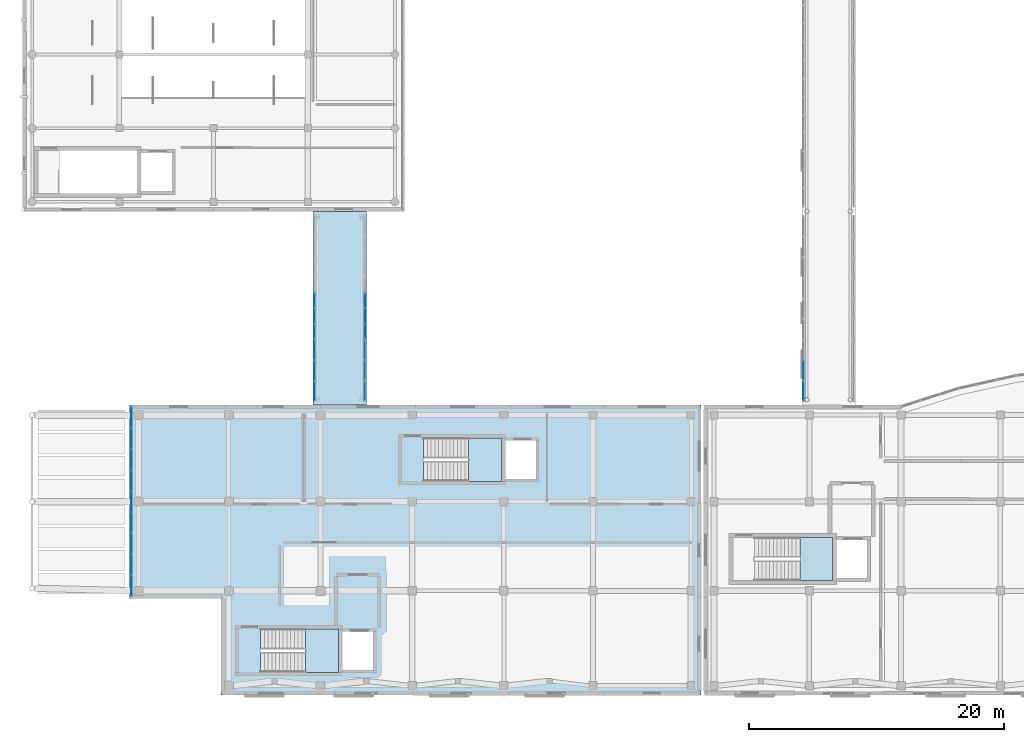
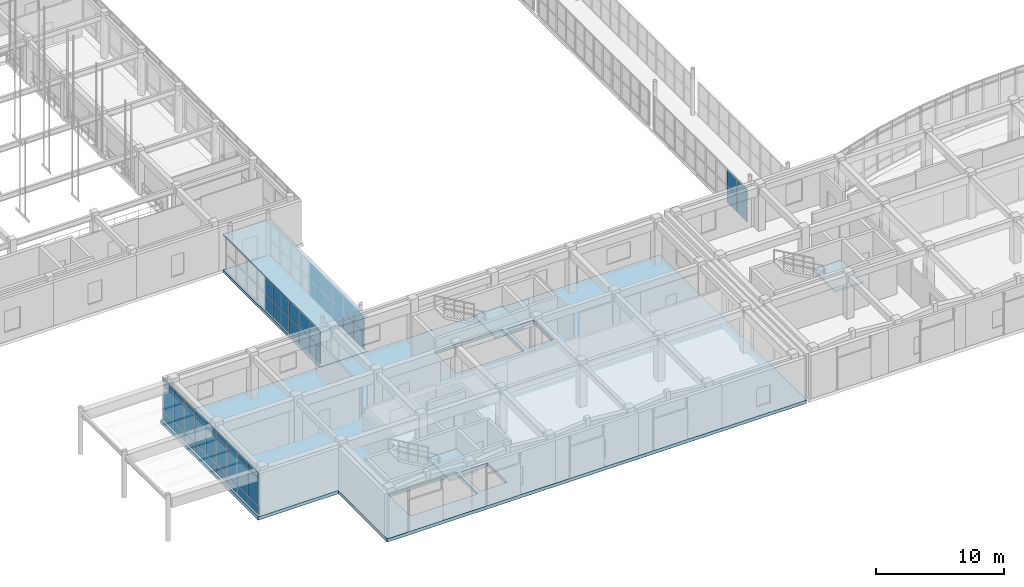
# One storey, part 104 of 142: 55 plates, 6 slabs, 11 elements without a shape of their own.
"""IFC4 building model written with IfcOpenShell, lengths in metres."""

import ifcopenshell
import ifcopenshell.guid

model = None  # the IFC model being written
_history = None  # IfcOwnerHistory: only IFC2X3 demands one
_inside = {}  # id of a spatial element -> (the spatial element, [elements in it])
_under = {}  # id of a project, library or spatial element -> (it, [spatial elements below it])
_declared = {}  # id of a project -> (the project, [libraries it declares])
_typed = {}  # id of a type object -> (the type object, [elements of that type])
_made_of = {}  # id of a material, layer set ... -> (it, [elements and type objects made of it])


def new_model(schema):
    """Start an empty IFC model of exactly this schema.

    Asked for "IFC4X3", IfcOpenShell would pick the latest addendum, in which some entities
    have other attributes; the version numbers below select the first issue.
    IFC2X3 requires an IfcOwnerHistory on every rooted entity: one is made here for all.
    """
    global model, _history
    if schema == "IFC4X3":
        model = ifcopenshell.file(schema_version=(4, 3, 0, 0))
    else:
        model = ifcopenshell.file(schema=schema)
    _inside.clear()
    _under.clear()
    _declared.clear()
    _typed.clear()
    _made_of.clear()
    _history = None
    if model.schema == "IFC2X3":
        org = make("IfcOrganization", Name="unknown")
        user = make(
            "IfcPersonAndOrganization",
            ThePerson=make("IfcPerson", FamilyName="unknown"),
            TheOrganization=org,
        )
        app = make(
            "IfcApplication",
            ApplicationDeveloper=org,
            Version="unknown",
            ApplicationFullName="unknown",
            ApplicationIdentifier="unknown",
        )
        _history = make(
            "IfcOwnerHistory",
            OwningUser=user,
            OwningApplication=app,
            ChangeAction="ADDED",
            CreationDate=0,
        )
    return model


def make(cls, **values):
    """One entity of the class cls with the attributes given. An attribute that is None is left unset."""
    return model.create_entity(
        cls, **{name: value for name, value in values.items() if value is not None}
    )


def rooted(cls, **values):
    """An entity with a GlobalId (a new one), such as an element, a storey or a relation."""
    return make(cls, GlobalId=ifcopenshell.guid.new(), OwnerHistory=_history, **values)


def si_unit(unit_type, name, prefix=None):
    """IfcSIUnit, for example si_unit("LENGTHUNIT", "METRE", prefix="MILLI")."""
    return make("IfcSIUnit", UnitType=unit_type, Prefix=prefix, Name=name)


def assignment(units):
    """IfcUnitAssignment: the units of a project."""
    return None if units is None else make("IfcUnitAssignment", Units=units)


def point(xyz):
    """IfcCartesianPoint."""
    return None if xyz is None else make("IfcCartesianPoint", Coordinates=xyz)


def direction(xyz):
    """IfcDirection."""
    return None if xyz is None else make("IfcDirection", DirectionRatios=xyz)


def frame(location, z_axis=None, x_axis=None):
    """IfcAxis2Placement3D, a coordinate frame: its origin and axes. An axis left out is left unset."""
    return make(
        "IfcAxis2Placement3D",
        Location=point(location),
        Axis=direction(z_axis),
        RefDirection=direction(x_axis),
    )


def frame_2d(location, x_axis=None):
    """IfcAxis2Placement2D, a coordinate frame in the plane: its origin and x axis."""
    return make(
        "IfcAxis2Placement2D", Location=point(location), RefDirection=direction(x_axis)
    )


def origin():
    """The frame at (0, 0, 0) with its axes left unset."""
    return frame((0.0, 0.0, 0.0))


def origin_2d():
    """The frame at (0, 0) in the plane with its x axis left unset."""
    return frame_2d((0.0, 0.0))


def place(relative_to, where):
    """IfcLocalPlacement: puts the frame where relative to a parent placement (None: the world)."""
    return make(
        "IfcLocalPlacement", PlacementRelTo=relative_to, RelativePlacement=where
    )


def context(
    kind, dimensions, precision=None, world=None, true_north=None, identifier=None
):
    """IfcGeometricRepresentationContext, for example the 3D "Model" context."""
    return make(
        "IfcGeometricRepresentationContext",
        ContextIdentifier=identifier,
        ContextType=kind,
        CoordinateSpaceDimension=dimensions,
        Precision=precision,
        WorldCoordinateSystem=world,
        TrueNorth=true_north,
    )


def subcontext(parent, identifier, kind, view, scale=None):
    """IfcGeometricRepresentationSubContext, for example "Body" below "Model"."""
    return make(
        "IfcGeometricRepresentationSubContext",
        ContextIdentifier=identifier,
        ContextType=kind,
        ParentContext=parent,
        TargetScale=scale,
        TargetView=view,
    )


def project(units=None, contexts=None):
    """IfcProject with its units and contexts."""
    return rooted(
        "IfcProject",
        Name="project",
        RepresentationContexts=contexts,
        UnitsInContext=assignment(units),
    )


def spatial(cls, under=None, at=None, **own):
    """A site, building, storey or space (cls), placed at a placement, below another one or the project."""
    s = rooted(cls, ObjectPlacement=at, **own)
    if under is not None:
        _under.setdefault(under.id(), (under, []))[1].append(s)
    return s


def polyline(points):
    """IfcPolyline through the points."""
    return make("IfcPolyline", Points=[point(p) for p in points])


def profile(cls, at=None, kind="AREA", **sizes):
    """A parametric profile (cls). Its sizes go by their IFC names, for example OverallWidth=200.0."""
    return make(cls, ProfileType=kind, Position=at, **sizes)


def rectangle(**sizes):
    """IfcRectangleProfileDef."""
    return profile("IfcRectangleProfileDef", **sizes)


def outline(outer, holes=None, kind="AREA"):
    """IfcArbitraryClosedProfileDef: a profile drawn as a closed curve; with holes, ...WithVoids."""
    if holes is None:
        return make("IfcArbitraryClosedProfileDef", ProfileType=kind, OuterCurve=outer)
    return make(
        "IfcArbitraryProfileDefWithVoids",
        ProfileType=kind,
        OuterCurve=outer,
        InnerCurves=holes,
    )


def extrude(swept, where, along, depth):
    """IfcExtrudedAreaSolid: the profile swept, set in the frame where, extruded along a direction by depth."""
    return make(
        "IfcExtrudedAreaSolid",
        SweptArea=swept,
        Position=where,
        ExtrudedDirection=direction(along),
        Depth=depth,
    )


def shape(context_of_items, identifier, shape_type, items):
    """IfcShapeRepresentation: the items that make up one representation, for example the "Body"."""
    return make(
        "IfcShapeRepresentation",
        ContextOfItems=context_of_items,
        RepresentationIdentifier=identifier,
        RepresentationType=shape_type,
        Items=items,
    )


def material(Name=None, Category=None):
    """IfcMaterial."""
    return make("IfcMaterial", Name=Name, Category=Category)


def layer(
    of_material, thickness, ventilated=None, Name=None, Category=None, Priority=None
):
    """IfcMaterialLayer: one layer of a wall or slab, of a material (None: an air gap)."""
    return make(
        "IfcMaterialLayer",
        Material=of_material,
        LayerThickness=thickness,
        IsVentilated=ventilated,
        Name=Name,
        Category=Category,
        Priority=Priority,
    )


def layer_set(layers, Name=None):
    """IfcMaterialLayerSet."""
    return make("IfcMaterialLayerSet", MaterialLayers=layers, LayerSetName=Name)


def made_of(thing, what):
    """Note that an element or type object is made of a material, layer set ...; save() writes the relation."""
    if what is not None:
        _made_of.setdefault(what.id(), (what, []))[1].append(thing)
    return thing


def type_object(cls, material=None, **own):
    """A type object (cls), such as IfcWallType, which elements share."""
    return made_of(rooted(cls, **own), material)


def element(
    cls,
    number,
    at=None,
    inside=None,
    cuts=None,
    type_object=None,
    material=None,
    context=None,
    identifier="Body",
    shape_type=None,
    held_by="IfcProductDefinitionShape",
    body=None,
    shapes=None,
    **own,
):
    """One element of the class cls, such as IfcWall. Its Tag is "e" and its number.

    at: its placement. inside: the storey or other place that contains it. cuts: it is an
    opening in that element (IfcRelVoidsElement). A single representation is given by context,
    identifier, shape_type and body (its items); several are given by shapes. held_by: the class
    of the entity that holds the representations. save() writes the other relations.
    """
    e = rooted(cls, Tag="e%d" % number, ObjectPlacement=at, **own)
    if body is not None:
        shapes = [shape(context, identifier, shape_type, body)]
    if shapes is not None:
        e.Representation = make(held_by, Representations=shapes)
    if inside is not None:
        _inside.setdefault(inside.id(), (inside, []))[1].append(e)
    if cuts is not None:
        rooted(
            "IfcRelVoidsElement", RelatingBuildingElement=cuts, RelatedOpeningElement=e
        )
    if type_object is not None:
        _typed.setdefault(type_object.id(), (type_object, []))[1].append(e)
    return made_of(e, material)


def aggregate(whole, parts):
    """IfcRelAggregates: a whole, such as a stair, and the parts it consists of."""
    return rooted("IfcRelAggregates", RelatingObject=whole, RelatedObjects=parts)


def save(model, path):
    """Write the relations noted so far, then the file.

    IfcRelAggregates (storeys below a building ...), IfcRelContainedInSpatialStructure (elements
    in a storey), IfcRelDefinesByType, IfcRelAssociatesMaterial and IfcRelDeclares: one each for
    every whole, place, type object, material and project.
    """
    for whole, parts in _under.values():
        aggregate(whole, parts)
    for where, things in _inside.values():
        rooted(
            "IfcRelContainedInSpatialStructure",
            RelatedElements=things,
            RelatingStructure=where,
        )
    for kind, things in _typed.values():
        rooted("IfcRelDefinesByType", RelatedObjects=things, RelatingType=kind)
    for what, things in _made_of.values():
        rooted("IfcRelAssociatesMaterial", RelatedObjects=things, RelatingMaterial=what)
    for by, libraries in _declared.values():
        rooted("IfcRelDeclares", RelatingContext=by, RelatedDefinitions=libraries)
    model.write(path)


model = new_model("IFC4")

# Units and contexts
model_context = context("Model", 3, precision=1e-05, world=origin(), true_north=direction((0.0, 1.0)))
body_context = subcontext(model_context, "Body", "Model", "MODEL_VIEW")
ifc_project = project(units=[si_unit("LENGTHUNIT", "METRE"), si_unit("AREAUNIT", "SQUARE_METRE"), si_unit("VOLUMEUNIT", "CUBIC_METRE"), si_unit("PLANEANGLEUNIT", "RADIAN"), si_unit("MASSUNIT", "GRAM", prefix="KILO")], contexts=[model_context])

# Site, building, storey
site_placement = place(None, origin())
site = spatial("IfcSite", under=ifc_project, at=site_placement, CompositionType="ELEMENT")
building_placement = place(site_placement, origin())
building = spatial("IfcBuilding", under=site, at=building_placement, Name="Valcora Specialist Clinic", CompositionType="ELEMENT")
storey_placement = place(building_placement, frame((0.0, 0.0, 5.10009765625)))
storey = spatial("IfcBuildingStorey", under=building, at=storey_placement, Name="L01", CompositionType="ELEMENT", Elevation=5.10009765625)

# Curtain wall, plates
ifc_material_1 = material(Name="Anodized Bronze Aluminium 6063-T6", Category="aluminium")
ifc_layer_1 = layer(ifc_material_1, 0.175048828125)
ifc_layer_set_1 = layer_set([ifc_layer_1], Name="Anodized Bronze Aluminium 6063-T6")
curtain_wall_type_1 = type_object("IfcCurtainWallType", Name="TY-CW-V5F15", PredefinedType="NOTDEFINED", material=ifc_layer_set_1)
curtain_wall_1_placement = place(storey_placement, origin())
curtain_wall_1 = element("IfcCurtainWall", 1, at=curtain_wall_1_placement, inside=storey, type_object=curtain_wall_type_1, Name="Curtain wall CW-L01-138", PredefinedType="NOTDEFINED")
ifc_material_2 = material(Name="Low-E Laminated Insulating Glass", Category="glass")
ifc_layer_2 = layer(ifc_material_2, 0.028076171875)
ifc_layer_set_2 = layer_set([ifc_layer_2], Name="Low-E Laminated Insulating Glass")
plate_type_1 = type_object("IfcPlateType", Name="TY-CWP-GLZ28", PredefinedType="CURTAIN_PANEL", material=ifc_layer_set_2)
plate_1_placement = place(storey_placement, frame((8.550048828125, 13.560791015625, 0.88232421875), z_axis=(0.0, 0.0, 1.0), x_axis=(0.0, 1.0, 0.0)))
plate_1 = element("IfcPlate", 2, at=plate_1_placement, type_object=plate_type_1, Name="CW-V5F-15 panel 1.2", PredefinedType="CURTAIN_PANEL", context=body_context, shape_type="SweptSolid", body=[
    extrude(rectangle(XDim=1.55810546875, YDim=0.028076171875, at=origin_2d()), origin(), (0.0, 0.0, 1.0), 2.610107421875),
])
plate_2_placement = place(storey_placement, frame((8.550048828125, 13.560791015625, 3.5576171875), z_axis=(0.0, 0.0, 1.0), x_axis=(0.0, 1.0, 0.0)))
plate_2 = element("IfcPlate", 3, at=plate_2_placement, type_object=plate_type_1, Name="CW-V5F-15 panel 1.3", PredefinedType="CURTAIN_PANEL", context=body_context, shape_type="SweptSolid", body=[
    extrude(rectangle(XDim=1.55810546875, YDim=0.028076171875, at=origin_2d()), origin(), (0.0, 0.0, 1.0), 0.452392578125),
])
plate_3_placement = place(storey_placement, frame((8.550048828125, 15.199951171875, 0.88232421875), z_axis=(0.0, 0.0, 1.0), x_axis=(0.0, 1.0, 0.0)))
plate_3 = element("IfcPlate", 4, at=plate_3_placement, type_object=plate_type_1, Name="CW-V5F-15 panel 2.2", PredefinedType="CURTAIN_PANEL", context=body_context, shape_type="SweptSolid", body=[
    extrude(rectangle(XDim=1.590576171875, YDim=0.028076171875, at=origin_2d()), origin(), (0.0, 0.0, 1.0), 2.610107421875),
])
plate_4_placement = place(storey_placement, frame((8.550048828125, 15.199951171875, 3.5576171875), z_axis=(0.0, 0.0, 1.0), x_axis=(0.0, 1.0, 0.0)))
plate_4 = element("IfcPlate", 5, at=plate_4_placement, type_object=plate_type_1, Name="CW-V5F-15 panel 2.3", PredefinedType="CURTAIN_PANEL", context=body_context, shape_type="SweptSolid", body=[
    extrude(rectangle(XDim=1.590576171875, YDim=0.028076171875, at=origin_2d()), origin(), (0.0, 0.0, 1.0), 0.452392578125),
])
plate_5_placement = place(storey_placement, frame((8.550048828125, 16.83935546875, 0.88232421875), z_axis=(0.0, 0.0, 1.0), x_axis=(0.0, 1.0, 0.0)))
plate_5 = element("IfcPlate", 6, at=plate_5_placement, type_object=plate_type_1, Name="CW-V5F-15 panel 3.2", PredefinedType="CURTAIN_PANEL", context=body_context, shape_type="SweptSolid", body=[
    extrude(rectangle(XDim=1.55810546875, YDim=0.028076171875, at=origin_2d()), origin(), (0.0, 0.0, 1.0), 2.610107421875),
])
plate_6_placement = place(storey_placement, frame((8.550048828125, 16.83935546875, 3.5576171875), z_axis=(0.0, 0.0, 1.0), x_axis=(0.0, 1.0, 0.0)))
plate_6 = element("IfcPlate", 7, at=plate_6_placement, type_object=plate_type_1, Name="CW-V5F-15 panel 3.3", PredefinedType="CURTAIN_PANEL", context=body_context, shape_type="SweptSolid", body=[
    extrude(rectangle(XDim=1.55810546875, YDim=0.028076171875, at=origin_2d()), origin(), (0.0, 0.0, 1.0), 0.452392578125),
])

ifc_layer_3 = layer(ifc_material_1, 0.175048828125)
ifc_layer_set_3 = layer_set([ifc_layer_3], Name="Anodized Bronze Aluminium 6063-T6")
curtain_wall_type_2 = type_object("IfcCurtainWallType", Name="TY-CW-BRG14", PredefinedType="NOTDEFINED", material=ifc_layer_set_3)
curtain_wall_2_placement = place(storey_placement, origin())
curtain_wall_2 = element("IfcCurtainWall", 8, at=curtain_wall_2_placement, inside=storey, type_object=curtain_wall_type_2, Name="Curtain wall CW-L01-226", PredefinedType="NOTDEFINED")
plate_7_placement = place(storey_placement, frame((22.919921875, 28.578857421875, 0.06494140625), z_axis=(0.0, 0.0, 1.0), x_axis=(0.0, 1.0, 0.0)))
plate_7 = element("IfcPlate", 9, at=plate_7_placement, type_object=plate_type_1, Name="CW-BRG-14 panel 1.1", PredefinedType="CURTAIN_PANEL", context=body_context, shape_type="SweptSolid", body=[
    extrude(rectangle(XDim=1.12744140625, YDim=0.028076171875, at=origin_2d()), origin(), (0.0, 0.0, 1.0), 1.5224609375),
])
plate_8_placement = place(storey_placement, frame((22.919921875, 28.578857421875, 1.65234375), z_axis=(0.0, 0.0, 1.0), x_axis=(0.0, 1.0, 0.0)))
plate_8 = element("IfcPlate", 10, at=plate_8_placement, type_object=plate_type_1, Name="CW-BRG-14 panel 1.2", PredefinedType="CURTAIN_PANEL", context=body_context, shape_type="SweptSolid", body=[
    extrude(rectangle(XDim=1.12744140625, YDim=0.028076171875, at=origin_2d()), origin(), (0.0, 0.0, 1.0), 1.5224609375),
])
plate_9_placement = place(storey_placement, frame((22.919921875, 29.78759765625, 0.06494140625), z_axis=(0.0, 0.0, 1.0), x_axis=(0.0, 1.0, 0.0)))
plate_9 = element("IfcPlate", 11, at=plate_9_placement, type_object=plate_type_1, Name="CW-BRG-14 panel 2.1", PredefinedType="CURTAIN_PANEL", context=body_context, shape_type="SweptSolid", body=[
    extrude(rectangle(XDim=1.159912109375, YDim=0.028076171875, at=origin_2d()), origin(), (0.0, 0.0, 1.0), 1.5224609375),
])
plate_10_placement = place(storey_placement, frame((22.919921875, 29.78759765625, 1.65234375), z_axis=(0.0, 0.0, 1.0), x_axis=(0.0, 1.0, 0.0)))
plate_10 = element("IfcPlate", 12, at=plate_10_placement, type_object=plate_type_1, Name="CW-BRG-14 panel 2.2", PredefinedType="CURTAIN_PANEL", context=body_context, shape_type="SweptSolid", body=[
    extrude(rectangle(XDim=1.159912109375, YDim=0.028076171875, at=origin_2d()), origin(), (0.0, 0.0, 1.0), 1.5224609375),
])
plate_11_placement = place(storey_placement, frame((22.919921875, 31.012451171875, 0.06494140625), z_axis=(0.0, 0.0, 1.0), x_axis=(0.0, 1.0, 0.0)))
plate_11 = element("IfcPlate", 13, at=plate_11_placement, type_object=plate_type_1, Name="CW-BRG-14 panel 3.1", PredefinedType="CURTAIN_PANEL", context=body_context, shape_type="SweptSolid", body=[
    extrude(rectangle(XDim=1.159912109375, YDim=0.028076171875, at=origin_2d()), origin(), (0.0, 0.0, 1.0), 1.5224609375),
])
plate_12_placement = place(storey_placement, frame((22.919921875, 31.012451171875, 1.65234375), z_axis=(0.0, 0.0, 1.0), x_axis=(0.0, 1.0, 0.0)))
plate_12 = element("IfcPlate", 14, at=plate_12_placement, type_object=plate_type_1, Name="CW-BRG-14 panel 3.2", PredefinedType="CURTAIN_PANEL", context=body_context, shape_type="SweptSolid", body=[
    extrude(rectangle(XDim=1.159912109375, YDim=0.028076171875, at=origin_2d()), origin(), (0.0, 0.0, 1.0), 1.5224609375),
])
aggregate(curtain_wall_2, [plate_7, plate_8, plate_9, plate_10, plate_11, plate_12])

curtain_wall_3_placement = place(storey_placement, origin())
curtain_wall_3 = element("IfcCurtainWall", 15, at=curtain_wall_3_placement, inside=storey, type_object=curtain_wall_type_2, Name="Curtain wall CW-L01-228", PredefinedType="NOTDEFINED")
plate_13_placement = place(storey_placement, frame((26.8798828125, 23.8828125, 0.06494140625), z_axis=(0.0, 0.0, 1.0), x_axis=(0.0, 1.0, 0.0)))
plate_13 = element("IfcPlate", 16, at=plate_13_placement, type_object=plate_type_1, Name="CW-BRG-14 panel 1.1", PredefinedType="CURTAIN_PANEL", context=body_context, shape_type="SweptSolid", body=[
    extrude(rectangle(XDim=1.535888671875, YDim=0.028076171875, at=origin_2d()), origin(), (0.0, 0.0, 1.0), 1.5224609375),
])
plate_14_placement = place(storey_placement, frame((26.8798828125, 23.8828125, 1.65234375), z_axis=(0.0, 0.0, 1.0), x_axis=(0.0, 1.0, 0.0)))
plate_14 = element("IfcPlate", 17, at=plate_14_placement, type_object=plate_type_1, Name="CW-BRG-14 panel 1.2", PredefinedType="CURTAIN_PANEL", context=body_context, shape_type="SweptSolid", body=[
    extrude(rectangle(XDim=1.535888671875, YDim=0.028076171875, at=origin_2d()), origin(), (0.0, 0.0, 1.0), 1.5224609375),
])
plate_15_placement = place(storey_placement, frame((26.8798828125, 25.5, 0.06494140625), z_axis=(0.0, 0.0, 1.0), x_axis=(0.0, 1.0, 0.0)))
plate_15 = element("IfcPlate", 18, at=plate_15_placement, type_object=plate_type_1, Name="CW-BRG-14 panel 2.1", PredefinedType="CURTAIN_PANEL", context=body_context, shape_type="SweptSolid", body=[
    extrude(rectangle(XDim=1.568359375, YDim=0.028076171875, at=origin_2d()), origin(), (0.0, 0.0, 1.0), 1.5224609375),
])
plate_16_placement = place(storey_placement, frame((26.8798828125, 25.5, 1.65234375), z_axis=(0.0, 0.0, 1.0), x_axis=(0.0, 1.0, 0.0)))
plate_16 = element("IfcPlate", 19, at=plate_16_placement, type_object=plate_type_1, Name="CW-BRG-14 panel 2.2", PredefinedType="CURTAIN_PANEL", context=body_context, shape_type="SweptSolid", body=[
    extrude(rectangle(XDim=1.568359375, YDim=0.028076171875, at=origin_2d()), origin(), (0.0, 0.0, 1.0), 1.5224609375),
])
plate_17_placement = place(storey_placement, frame((26.8798828125, 27.1171875, 0.06494140625), z_axis=(0.0, 0.0, 1.0), x_axis=(0.0, 1.0, 0.0)))
plate_17 = element("IfcPlate", 20, at=plate_17_placement, type_object=plate_type_1, Name="CW-BRG-14 panel 3.1", PredefinedType="CURTAIN_PANEL", context=body_context, shape_type="SweptSolid", body=[
    extrude(rectangle(XDim=1.535888671875, YDim=0.028076171875, at=origin_2d()), origin(), (0.0, 0.0, 1.0), 1.5224609375),
])
plate_18_placement = place(storey_placement, frame((26.8798828125, 27.1171875, 1.65234375), z_axis=(0.0, 0.0, 1.0), x_axis=(0.0, 1.0, 0.0)))
plate_18 = element("IfcPlate", 21, at=plate_18_placement, type_object=plate_type_1, Name="CW-BRG-14 panel 3.2", PredefinedType="CURTAIN_PANEL", context=body_context, shape_type="SweptSolid", body=[
    extrude(rectangle(XDim=1.535888671875, YDim=0.028076171875, at=origin_2d()), origin(), (0.0, 0.0, 1.0), 1.5224609375),
])
aggregate(curtain_wall_3, [plate_13, plate_14, plate_15, plate_16, plate_17, plate_18])

curtain_wall_4_placement = place(storey_placement, origin())
curtain_wall_4 = element("IfcCurtainWall", 22, at=curtain_wall_4_placement, inside=storey, type_object=curtain_wall_type_1, Name="Curtain wall CW-L01-137", PredefinedType="NOTDEFINED")
ifc_layer_4 = layer(ifc_material_2, 0.033935546875)
ifc_layer_set_4 = layer_set([ifc_layer_4], Name="Low-E Laminated Insulating Glass")
plate_type_2 = type_object("IfcPlateType", Name="TY-CWP-GLZ34", PredefinedType="CURTAIN_PANEL", material=ifc_layer_set_4)
plate_19_placement = place(storey_placement, frame((8.550048828125, 8.593994140625, 0.88232421875), z_axis=(0.0, 0.0, 1.0), x_axis=(0.0, 1.0, 0.0)))
plate_19 = element("IfcPlate", 23, at=plate_19_placement, type_object=plate_type_2, Name="CW-V5F-15 panel 1.2", PredefinedType="CURTAIN_PANEL", context=body_context, shape_type="SweptSolid", body=[
    extrude(rectangle(XDim=1.55810546875, YDim=0.033935546875, at=origin_2d()), origin(), (0.0, 0.0, 1.0), 2.610107421875),
])
plate_20_placement = place(storey_placement, frame((8.550048828125, 8.593994140625, 3.5576171875), z_axis=(0.0, 0.0, 1.0), x_axis=(0.0, 1.0, 0.0)))
plate_20 = element("IfcPlate", 24, at=plate_20_placement, type_object=plate_type_2, Name="CW-V5F-15 panel 1.3", PredefinedType="CURTAIN_PANEL", context=body_context, shape_type="SweptSolid", body=[
    extrude(rectangle(XDim=1.55810546875, YDim=0.033935546875, at=origin_2d()), origin(), (0.0, 0.0, 1.0), 0.452392578125),
])
plate_21_placement = place(storey_placement, frame((8.550048828125, 10.2333984375, 0.88232421875), z_axis=(0.0, 0.0, 1.0), x_axis=(0.0, 1.0, 0.0)))
plate_21 = element("IfcPlate", 25, at=plate_21_placement, type_object=plate_type_2, Name="CW-V5F-15 panel 2.2", PredefinedType="CURTAIN_PANEL", context=body_context, shape_type="SweptSolid", body=[
    extrude(rectangle(XDim=1.590576171875, YDim=0.033935546875, at=origin_2d()), origin(), (0.0, 0.0, 1.0), 2.610107421875),
])
plate_22_placement = place(storey_placement, frame((8.550048828125, 10.2333984375, 3.5576171875), z_axis=(0.0, 0.0, 1.0), x_axis=(0.0, 1.0, 0.0)))
plate_22 = element("IfcPlate", 26, at=plate_22_placement, type_object=plate_type_2, Name="CW-V5F-15 panel 2.3", PredefinedType="CURTAIN_PANEL", context=body_context, shape_type="SweptSolid", body=[
    extrude(rectangle(XDim=1.590576171875, YDim=0.033935546875, at=origin_2d()), origin(), (0.0, 0.0, 1.0), 0.452392578125),
])
plate_23_placement = place(storey_placement, frame((8.550048828125, 11.87255859375, 0.88232421875), z_axis=(0.0, 0.0, 1.0), x_axis=(0.0, 1.0, 0.0)))
plate_23 = element("IfcPlate", 27, at=plate_23_placement, type_object=plate_type_2, Name="CW-V5F-15 panel 3.2", PredefinedType="CURTAIN_PANEL", context=body_context, shape_type="SweptSolid", body=[
    extrude(rectangle(XDim=1.55810546875, YDim=0.033935546875, at=origin_2d()), origin(), (0.0, 0.0, 1.0), 2.610107421875),
])
plate_24_placement = place(storey_placement, frame((8.550048828125, 11.87255859375, 3.5576171875), z_axis=(0.0, 0.0, 1.0), x_axis=(0.0, 1.0, 0.0)))
plate_24 = element("IfcPlate", 28, at=plate_24_placement, type_object=plate_type_2, Name="CW-V5F-15 panel 3.3", PredefinedType="CURTAIN_PANEL", context=body_context, shape_type="SweptSolid", body=[
    extrude(rectangle(XDim=1.55810546875, YDim=0.033935546875, at=origin_2d()), origin(), (0.0, 0.0, 1.0), 0.452392578125),
])

curtain_wall_5_placement = place(storey_placement, origin())
curtain_wall_5 = element("IfcCurtainWall", 29, at=curtain_wall_5_placement, inside=storey, type_object=curtain_wall_type_1, Name="Curtain wall CW-L01-139", PredefinedType="NOTDEFINED")
plate_25_placement = place(storey_placement, frame((8.550048828125, 18.52734375, 0.88232421875), z_axis=(0.0, 0.0, 1.0), x_axis=(0.0, 1.0, 0.0)))
plate_25 = element("IfcPlate", 30, at=plate_25_placement, type_object=plate_type_2, Name="CW-V5F-15 panel 1.2", PredefinedType="CURTAIN_PANEL", context=body_context, shape_type="SweptSolid", body=[
    extrude(rectangle(XDim=1.55810546875, YDim=0.033935546875, at=origin_2d()), origin(), (0.0, 0.0, 1.0), 2.610107421875),
])
plate_26_placement = place(storey_placement, frame((8.550048828125, 18.52734375, 3.5576171875), z_axis=(0.0, 0.0, 1.0), x_axis=(0.0, 1.0, 0.0)))
plate_26 = element("IfcPlate", 31, at=plate_26_placement, type_object=plate_type_2, Name="CW-V5F-15 panel 1.3", PredefinedType="CURTAIN_PANEL", context=body_context, shape_type="SweptSolid", body=[
    extrude(rectangle(XDim=1.55810546875, YDim=0.033935546875, at=origin_2d()), origin(), (0.0, 0.0, 1.0), 0.452392578125),
])
plate_27_placement = place(storey_placement, frame((8.550048828125, 20.166748046875, 0.88232421875), z_axis=(0.0, 0.0, 1.0), x_axis=(0.0, 1.0, 0.0)))
plate_27 = element("IfcPlate", 32, at=plate_27_placement, type_object=plate_type_2, Name="CW-V5F-15 panel 2.2", PredefinedType="CURTAIN_PANEL", context=body_context, shape_type="SweptSolid", body=[
    extrude(rectangle(XDim=1.590576171875, YDim=0.033935546875, at=origin_2d()), origin(), (0.0, 0.0, 1.0), 2.610107421875),
])
plate_28_placement = place(storey_placement, frame((8.550048828125, 20.166748046875, 3.5576171875), z_axis=(0.0, 0.0, 1.0), x_axis=(0.0, 1.0, 0.0)))
plate_28 = element("IfcPlate", 33, at=plate_28_placement, type_object=plate_type_2, Name="CW-V5F-15 panel 2.3", PredefinedType="CURTAIN_PANEL", context=body_context, shape_type="SweptSolid", body=[
    extrude(rectangle(XDim=1.590576171875, YDim=0.033935546875, at=origin_2d()), origin(), (0.0, 0.0, 1.0), 0.452392578125),
])
plate_29_placement = place(storey_placement, frame((8.550048828125, 21.805908203125, 0.88232421875), z_axis=(0.0, 0.0, 1.0), x_axis=(0.0, 1.0, 0.0)))
plate_29 = element("IfcPlate", 34, at=plate_29_placement, type_object=plate_type_2, Name="CW-V5F-15 panel 3.2", PredefinedType="CURTAIN_PANEL", context=body_context, shape_type="SweptSolid", body=[
    extrude(rectangle(XDim=1.55810546875, YDim=0.033935546875, at=origin_2d()), origin(), (0.0, 0.0, 1.0), 2.610107421875),
])
plate_30_placement = place(storey_placement, frame((8.550048828125, 21.805908203125, 3.5576171875), z_axis=(0.0, 0.0, 1.0), x_axis=(0.0, 1.0, 0.0)))
plate_30 = element("IfcPlate", 35, at=plate_30_placement, type_object=plate_type_2, Name="CW-V5F-15 panel 3.3", PredefinedType="CURTAIN_PANEL", context=body_context, shape_type="SweptSolid", body=[
    extrude(rectangle(XDim=1.55810546875, YDim=0.033935546875, at=origin_2d()), origin(), (0.0, 0.0, 1.0), 0.452392578125),
])

curtain_wall_6_placement = place(storey_placement, origin())
curtain_wall_6 = element("IfcCurtainWall", 36, at=curtain_wall_6_placement, inside=storey, type_object=curtain_wall_type_2, Name="Curtain wall CW-L01-225", PredefinedType="NOTDEFINED")
plate_31_placement = place(storey_placement, frame((22.919921875, 23.8828125, 0.06494140625), z_axis=(0.0, 0.0, 1.0), x_axis=(0.0, 1.0, 0.0)))
plate_31 = element("IfcPlate", 37, at=plate_31_placement, type_object=plate_type_2, Name="CW-BRG-14 panel 1.1", PredefinedType="CURTAIN_PANEL", context=body_context, shape_type="SweptSolid", body=[
    extrude(rectangle(XDim=1.535888671875, YDim=0.033935546875, at=origin_2d()), origin(), (0.0, 0.0, 1.0), 1.5224609375),
])
plate_32_placement = place(storey_placement, frame((22.919921875, 23.8828125, 1.65234375), z_axis=(0.0, 0.0, 1.0), x_axis=(0.0, 1.0, 0.0)))
plate_32 = element("IfcPlate", 38, at=plate_32_placement, type_object=plate_type_2, Name="CW-BRG-14 panel 1.2", PredefinedType="CURTAIN_PANEL", context=body_context, shape_type="SweptSolid", body=[
    extrude(rectangle(XDim=1.535888671875, YDim=0.033935546875, at=origin_2d()), origin(), (0.0, 0.0, 1.0), 1.5224609375),
])
plate_33_placement = place(storey_placement, frame((22.919921875, 25.5, 0.06494140625), z_axis=(0.0, 0.0, 1.0), x_axis=(0.0, 1.0, 0.0)))
plate_33 = element("IfcPlate", 39, at=plate_33_placement, type_object=plate_type_2, Name="CW-BRG-14 panel 2.1", PredefinedType="CURTAIN_PANEL", context=body_context, shape_type="SweptSolid", body=[
    extrude(rectangle(XDim=1.568359375, YDim=0.033935546875, at=origin_2d()), origin(), (0.0, 0.0, 1.0), 1.5224609375),
])
plate_34_placement = place(storey_placement, frame((22.919921875, 25.5, 1.65234375), z_axis=(0.0, 0.0, 1.0), x_axis=(0.0, 1.0, 0.0)))
plate_34 = element("IfcPlate", 40, at=plate_34_placement, type_object=plate_type_2, Name="CW-BRG-14 panel 2.2", PredefinedType="CURTAIN_PANEL", context=body_context, shape_type="SweptSolid", body=[
    extrude(rectangle(XDim=1.568359375, YDim=0.033935546875, at=origin_2d()), origin(), (0.0, 0.0, 1.0), 1.5224609375),
])
plate_35_placement = place(storey_placement, frame((22.919921875, 27.1171875, 0.06494140625), z_axis=(0.0, 0.0, 1.0), x_axis=(0.0, 1.0, 0.0)))
plate_35 = element("IfcPlate", 41, at=plate_35_placement, type_object=plate_type_2, Name="CW-BRG-14 panel 3.1", PredefinedType="CURTAIN_PANEL", context=body_context, shape_type="SweptSolid", body=[
    extrude(rectangle(XDim=1.535888671875, YDim=0.033935546875, at=origin_2d()), origin(), (0.0, 0.0, 1.0), 1.5224609375),
])
plate_36_placement = place(storey_placement, frame((22.919921875, 27.1171875, 1.65234375), z_axis=(0.0, 0.0, 1.0), x_axis=(0.0, 1.0, 0.0)))
plate_36 = element("IfcPlate", 42, at=plate_36_placement, type_object=plate_type_2, Name="CW-BRG-14 panel 3.2", PredefinedType="CURTAIN_PANEL", context=body_context, shape_type="SweptSolid", body=[
    extrude(rectangle(XDim=1.535888671875, YDim=0.033935546875, at=origin_2d()), origin(), (0.0, 0.0, 1.0), 1.5224609375),
])
aggregate(curtain_wall_6, [plate_31, plate_32, plate_33, plate_34, plate_35, plate_36])

curtain_wall_7_placement = place(storey_placement, origin())
curtain_wall_7 = element("IfcCurtainWall", 43, at=curtain_wall_7_placement, inside=storey, type_object=curtain_wall_type_2, Name="Curtain wall CW-L01-229", PredefinedType="NOTDEFINED")
plate_37_placement = place(storey_placement, frame((26.8798828125, 28.578857421875, 0.06494140625), z_axis=(0.0, 0.0, 1.0), x_axis=(0.0, 1.0, 0.0)))
plate_37 = element("IfcPlate", 44, at=plate_37_placement, type_object=plate_type_2, Name="CW-BRG-14 panel 1.1", PredefinedType="CURTAIN_PANEL", context=body_context, shape_type="SweptSolid", body=[
    extrude(rectangle(XDim=1.12744140625, YDim=0.033935546875, at=origin_2d()), origin(), (0.0, 0.0, 1.0), 1.5224609375),
])
plate_38_placement = place(storey_placement, frame((26.8798828125, 28.578857421875, 1.65234375), z_axis=(0.0, 0.0, 1.0), x_axis=(0.0, 1.0, 0.0)))
plate_38 = element("IfcPlate", 45, at=plate_38_placement, type_object=plate_type_2, Name="CW-BRG-14 panel 1.2", PredefinedType="CURTAIN_PANEL", context=body_context, shape_type="SweptSolid", body=[
    extrude(rectangle(XDim=1.12744140625, YDim=0.033935546875, at=origin_2d()), origin(), (0.0, 0.0, 1.0), 1.5224609375),
])
plate_39_placement = place(storey_placement, frame((26.8798828125, 29.78759765625, 0.06494140625), z_axis=(0.0, 0.0, 1.0), x_axis=(0.0, 1.0, 0.0)))
plate_39 = element("IfcPlate", 46, at=plate_39_placement, type_object=plate_type_2, Name="CW-BRG-14 panel 2.1", PredefinedType="CURTAIN_PANEL", context=body_context, shape_type="SweptSolid", body=[
    extrude(rectangle(XDim=1.159912109375, YDim=0.033935546875, at=origin_2d()), origin(), (0.0, 0.0, 1.0), 1.5224609375),
])
plate_40_placement = place(storey_placement, frame((26.8798828125, 29.78759765625, 1.65234375), z_axis=(0.0, 0.0, 1.0), x_axis=(0.0, 1.0, 0.0)))
plate_40 = element("IfcPlate", 47, at=plate_40_placement, type_object=plate_type_2, Name="CW-BRG-14 panel 2.2", PredefinedType="CURTAIN_PANEL", context=body_context, shape_type="SweptSolid", body=[
    extrude(rectangle(XDim=1.159912109375, YDim=0.033935546875, at=origin_2d()), origin(), (0.0, 0.0, 1.0), 1.5224609375),
])
plate_41_placement = place(storey_placement, frame((26.8798828125, 31.012451171875, 0.06494140625), z_axis=(0.0, 0.0, 1.0), x_axis=(0.0, 1.0, 0.0)))
plate_41 = element("IfcPlate", 48, at=plate_41_placement, type_object=plate_type_2, Name="CW-BRG-14 panel 3.1", PredefinedType="CURTAIN_PANEL", context=body_context, shape_type="SweptSolid", body=[
    extrude(rectangle(XDim=1.159912109375, YDim=0.033935546875, at=origin_2d()), origin(), (0.0, 0.0, 1.0), 1.5224609375),
])
plate_42_placement = place(storey_placement, frame((26.8798828125, 31.012451171875, 1.65234375), z_axis=(0.0, 0.0, 1.0), x_axis=(0.0, 1.0, 0.0)))
plate_42 = element("IfcPlate", 49, at=plate_42_placement, type_object=plate_type_2, Name="CW-BRG-14 panel 3.2", PredefinedType="CURTAIN_PANEL", context=body_context, shape_type="SweptSolid", body=[
    extrude(rectangle(XDim=1.159912109375, YDim=0.033935546875, at=origin_2d()), origin(), (0.0, 0.0, 1.0), 1.5224609375),
])
aggregate(curtain_wall_7, [plate_37, plate_38, plate_39, plate_40, plate_41, plate_42])

curtain_wall_8_placement = place(storey_placement, origin())
curtain_wall_8 = element("IfcCurtainWall", 50, at=curtain_wall_8_placement, inside=storey, type_object=curtain_wall_type_2, Name="Curtain wall CW-L01-231", PredefinedType="NOTDEFINED")
plate_43_placement = place(storey_placement, frame((61.320068359375, 23.921875, 0.06494140625), z_axis=(0.0, 0.0, 1.0), x_axis=(0.0, 1.0, 0.0)))
plate_43 = element("IfcPlate", 51, at=plate_43_placement, type_object=plate_type_2, Name="CW-BRG-14 panel 1.1", PredefinedType="CURTAIN_PANEL", context=body_context, shape_type="SweptSolid", body=[
    extrude(rectangle(XDim=1.513671875, YDim=0.033935546875, at=origin_2d()), origin(), (0.0, 0.0, 1.0), 1.5224609375),
])
plate_44_placement = place(storey_placement, frame((61.320068359375, 23.921875, 1.65234375), z_axis=(0.0, 0.0, 1.0), x_axis=(0.0, 1.0, 0.0)))
plate_44 = element("IfcPlate", 52, at=plate_44_placement, type_object=plate_type_2, Name="CW-BRG-14 panel 1.2", PredefinedType="CURTAIN_PANEL", context=body_context, shape_type="SweptSolid", body=[
    extrude(rectangle(XDim=1.513671875, YDim=0.033935546875, at=origin_2d()), origin(), (0.0, 0.0, 1.0), 1.5224609375),
])
plate_45_placement = place(storey_placement, frame((61.320068359375, 25.5166015625, 0.06494140625), z_axis=(0.0, 0.0, 1.0), x_axis=(0.0, 1.0, 0.0)))
plate_45 = element("IfcPlate", 53, at=plate_45_placement, type_object=plate_type_2, Name="CW-BRG-14 panel 2.1", PredefinedType="CURTAIN_PANEL", context=body_context, shape_type="SweptSolid", body=[
    extrude(rectangle(XDim=1.546142578125, YDim=0.033935546875, at=origin_2d()), origin(), (0.0, 0.0, 1.0), 1.5224609375),
])
plate_46_placement = place(storey_placement, frame((61.320068359375, 25.5166015625, 1.65234375), z_axis=(0.0, 0.0, 1.0), x_axis=(0.0, 1.0, 0.0)))
plate_46 = element("IfcPlate", 54, at=plate_46_placement, type_object=plate_type_2, Name="CW-BRG-14 panel 2.2", PredefinedType="CURTAIN_PANEL", context=body_context, shape_type="SweptSolid", body=[
    extrude(rectangle(XDim=1.546142578125, YDim=0.033935546875, at=origin_2d()), origin(), (0.0, 0.0, 1.0), 1.5224609375),
])
aggregate(curtain_wall_8, [plate_43, plate_44, plate_45, plate_46])

# Plate
ifc_material_3 = material(Name="Insulated Spandrel Panel")
ifc_layer_5 = layer(ifc_material_3, 0.044921875)
ifc_layer_set_5 = layer_set([ifc_layer_5], Name="Insulated Spandrel Panel")
plate_type_3 = type_object("IfcPlateType", Name="TY-CWP-SPN45", PredefinedType="SHEET", material=ifc_layer_set_5)
plate_47_placement = place(storey_placement, frame((8.550048828125, 8.593994140625, 0.06494140625), z_axis=(0.0, 0.0, 1.0), x_axis=(0.0, 1.0, 0.0)))
plate_47 = element("IfcPlate", 55, at=plate_47_placement, type_object=plate_type_3, Name="CW-V5F-15 panel 1.1", PredefinedType="SHEET", context=body_context, shape_type="SweptSolid", body=[
    extrude(rectangle(XDim=1.55810546875, YDim=0.044921875, at=origin_2d()), origin(), (0.0, 0.0, 1.0), 0.75244140625),
])

plate_48_placement = place(storey_placement, frame((8.550048828125, 10.2333984375, 0.06494140625), z_axis=(0.0, 0.0, 1.0), x_axis=(0.0, 1.0, 0.0)))
plate_48 = element("IfcPlate", 56, at=plate_48_placement, type_object=plate_type_3, Name="CW-V5F-15 panel 2.1", PredefinedType="SHEET", context=body_context, shape_type="SweptSolid", body=[
    extrude(rectangle(XDim=1.590576171875, YDim=0.044921875, at=origin_2d()), origin(), (0.0, 0.0, 1.0), 0.75244140625),
])

plate_49_placement = place(storey_placement, frame((8.550048828125, 11.87255859375, 0.06494140625), z_axis=(0.0, 0.0, 1.0), x_axis=(0.0, 1.0, 0.0)))
plate_49 = element("IfcPlate", 57, at=plate_49_placement, type_object=plate_type_3, Name="CW-V5F-15 panel 3.1", PredefinedType="SHEET", context=body_context, shape_type="SweptSolid", body=[
    extrude(rectangle(XDim=1.55810546875, YDim=0.044921875, at=origin_2d()), origin(), (0.0, 0.0, 1.0), 0.75244140625),
])

aggregate(curtain_wall_4, [plate_47, plate_19, plate_20, plate_48, plate_21, plate_22, plate_49, plate_23, plate_24])

plate_50_placement = place(storey_placement, frame((8.550048828125, 13.560791015625, 0.06494140625), z_axis=(0.0, 0.0, 1.0), x_axis=(0.0, 1.0, 0.0)))
plate_50 = element("IfcPlate", 58, at=plate_50_placement, type_object=plate_type_3, Name="CW-V5F-15 panel 1.1", PredefinedType="SHEET", context=body_context, shape_type="SweptSolid", body=[
    extrude(rectangle(XDim=1.55810546875, YDim=0.044921875, at=origin_2d()), origin(), (0.0, 0.0, 1.0), 0.75244140625),
])

plate_51_placement = place(storey_placement, frame((8.550048828125, 15.199951171875, 0.06494140625), z_axis=(0.0, 0.0, 1.0), x_axis=(0.0, 1.0, 0.0)))
plate_51 = element("IfcPlate", 59, at=plate_51_placement, type_object=plate_type_3, Name="CW-V5F-15 panel 2.1", PredefinedType="SHEET", context=body_context, shape_type="SweptSolid", body=[
    extrude(rectangle(XDim=1.590576171875, YDim=0.044921875, at=origin_2d()), origin(), (0.0, 0.0, 1.0), 0.75244140625),
])

plate_52_placement = place(storey_placement, frame((8.550048828125, 16.83935546875, 0.06494140625), z_axis=(0.0, 0.0, 1.0), x_axis=(0.0, 1.0, 0.0)))
plate_52 = element("IfcPlate", 60, at=plate_52_placement, type_object=plate_type_3, Name="CW-V5F-15 panel 3.1", PredefinedType="SHEET", context=body_context, shape_type="SweptSolid", body=[
    extrude(rectangle(XDim=1.55810546875, YDim=0.044921875, at=origin_2d()), origin(), (0.0, 0.0, 1.0), 0.75244140625),
])

aggregate(curtain_wall_1, [plate_50, plate_1, plate_2, plate_51, plate_3, plate_4, plate_52, plate_5, plate_6])

plate_53_placement = place(storey_placement, frame((8.550048828125, 18.52734375, 0.06494140625), z_axis=(0.0, 0.0, 1.0), x_axis=(0.0, 1.0, 0.0)))
plate_53 = element("IfcPlate", 61, at=plate_53_placement, type_object=plate_type_3, Name="CW-V5F-15 panel 1.1", PredefinedType="SHEET", context=body_context, shape_type="SweptSolid", body=[
    extrude(rectangle(XDim=1.55810546875, YDim=0.044921875, at=origin_2d()), origin(), (0.0, 0.0, 1.0), 0.75244140625),
])

plate_54_placement = place(storey_placement, frame((8.550048828125, 20.166748046875, 0.06494140625), z_axis=(0.0, 0.0, 1.0), x_axis=(0.0, 1.0, 0.0)))
plate_54 = element("IfcPlate", 62, at=plate_54_placement, type_object=plate_type_3, Name="CW-V5F-15 panel 2.1", PredefinedType="SHEET", context=body_context, shape_type="SweptSolid", body=[
    extrude(rectangle(XDim=1.590576171875, YDim=0.044921875, at=origin_2d()), origin(), (0.0, 0.0, 1.0), 0.75244140625),
])

plate_55_placement = place(storey_placement, frame((8.550048828125, 21.805908203125, 0.06494140625), z_axis=(0.0, 0.0, 1.0), x_axis=(0.0, 1.0, 0.0)))
plate_55 = element("IfcPlate", 63, at=plate_55_placement, type_object=plate_type_3, Name="CW-V5F-15 panel 3.1", PredefinedType="SHEET", context=body_context, shape_type="SweptSolid", body=[
    extrude(rectangle(XDim=1.55810546875, YDim=0.044921875, at=origin_2d()), origin(), (0.0, 0.0, 1.0), 0.75244140625),
])

aggregate(curtain_wall_5, [plate_53, plate_25, plate_26, plate_54, plate_27, plate_28, plate_55, plate_29, plate_30])

# Slabs
ifc_material_4 = material(Name="Concrete C40/50", Category="concrete")
ifc_layer_6 = layer(ifc_material_4, 0.25)
ifc_layer_set_6 = layer_set([ifc_layer_6], Name="Concrete C40/50")
slab_type_1 = type_object("IfcSlabType", Name="TY-SL-BRG250", PredefinedType="FLOOR", material=ifc_layer_set_6)
slab_1_placement = place(storey_placement, frame((0.0, 0.0, -0.25)))
element("IfcSlab", 64, at=slab_1_placement, inside=storey, type_object=slab_type_1, Name="Link bridge deck BRG-W-L01 SL-L01-078", PredefinedType="FLOOR", context=body_context, shape_type="SweptSolid", body=[
    extrude(outline(polyline([(22.800048828125, 22.800048828125), (27.0, 22.800048828125), (27.0, 38.0), (22.800048828125, 38.0), (22.800048828125, 22.800048828125)])), origin(), (0.0, 0.0, 1.0), 0.25),
])
ifc_layer_7 = layer(ifc_material_4, 0.159912109375)
ifc_layer_set_7 = layer_set([ifc_layer_7], Name="Concrete C40/50")
slab_type_2 = type_object("IfcSlabType", Name="TY-SL-CNP160", PredefinedType="ROOF", material=ifc_layer_set_7)
slab_2_placement = place(storey_placement, frame((0.0, 0.0, 3.239990234375)))
element("IfcSlab", 65, at=slab_2_placement, inside=storey, type_object=slab_type_2, Name="Link bridge roof BRG-W-L01 SL-L01-079", PredefinedType="ROOF", context=body_context, shape_type="SweptSolid", body=[
    extrude(outline(polyline([(22.800048828125, 22.800048828125), (27.0, 22.800048828125), (27.0, 38.0), (22.800048828125, 38.0), (22.800048828125, 22.800048828125)])), origin(), (0.0, 0.0, 1.0), 0.159912109375),
])
ifc_layer_8 = layer(ifc_material_4, 0.31494140625)
ifc_layer_set_8 = layer_set([ifc_layer_8], Name="Concrete C40/50")
slab_type_3 = type_object("IfcSlabType", Name="TY-SL-FLR315", PredefinedType="FLOOR", material=ifc_layer_set_8)
slab_3_placement = place(storey_placement, frame((0.0, 0.0, -0.315185546875)))
element("IfcSlab", 66, at=slab_3_placement, inside=storey, type_object=slab_type_3, Name="V5 L01 structural slab SL-L01-015", PredefinedType="FLOOR", context=body_context, shape_type="SweptSolid", body=[
    extrude(outline(polyline([(15.60009765625, 0.0), (53.300048828125, 0.0), (53.300048828125, 22.800048828125), (8.39990234375, 22.800048828125), (8.39990234375, 7.60009765625), (15.60009765625, 7.60009765625), (15.60009765625, 0.0)]), holes=[polyline([(18.70068359375, 1.800048828125), (24.800048828125, 1.800048828125), (24.800048828125, 5.199951171875), (18.70068359375, 5.199951171875), (18.70068359375, 1.800048828125)]), polyline([(25.1201171875, 2.0), (27.52001953125, 2.0), (27.52001953125, 5.0), (25.1201171875, 5.0), (25.1201171875, 2.0)]), polyline([(31.500732421875, 16.800048828125), (37.60009765625, 16.800048828125), (37.60009765625, 20.199951171875), (31.500732421875, 20.199951171875), (31.500732421875, 16.800048828125)]), polyline([(37.919921875, 17.0), (40.320068359375, 17.0), (40.320068359375, 20.0), (37.919921875, 20.0), (37.919921875, 17.0)])]), origin(), (0.0, 0.0, 1.0), 0.315185546875),
])

# Stair, slab
stair_type = type_object("IfcStairType", Name="TY-ST-DG442", PredefinedType="HALF_TURN_STAIR", material=ifc_material_4)
stair_1_placement = place(storey_placement, origin())
stair_1 = element("IfcStair", 67, at=stair_1_placement, inside=storey, type_object=stair_type, Name="L01 Core C-V5A stair ST-V5A", PredefinedType="HALF_TURN_STAIR")
ifc_layer_9 = layer(ifc_material_4, 0.199951171875)
ifc_layer_set_9 = layer_set([ifc_layer_9], Name="Concrete C40/50")
slab_type_4 = type_object("IfcSlabType", Name="TY-SL-LND200", PredefinedType="LANDING", material=ifc_layer_set_9)
slab_4_placement = place(storey_placement, frame((0.0, 0.0, 2.010009765625)))
slab_4 = element("IfcSlab", 68, at=slab_4_placement, type_object=slab_type_4, Name="ST-V5A landing 1", PredefinedType="LANDING", context=body_context, shape_type="SweptSolid", body=[
    extrude(outline(polyline([(22.239990234375, 1.800048828125), (24.800048828125, 1.800048828125), (24.800048828125, 5.199951171875), (22.239990234375, 5.199951171875), (22.239990234375, 1.800048828125)])), origin(), (0.0, 0.0, 1.0), 0.199951171875),
])
aggregate(stair_1, [slab_4])

stair_2_placement = place(storey_placement, origin())
stair_2 = element("IfcStair", 69, at=stair_2_placement, inside=storey, type_object=stair_type, Name="L01 Core C-V5B stair ST-V5B", PredefinedType="HALF_TURN_STAIR")
slab_5_placement = place(storey_placement, frame((0.0, 0.0, 2.010009765625)))
slab_5 = element("IfcSlab", 70, at=slab_5_placement, type_object=slab_type_4, Name="ST-V5B landing 1", PredefinedType="LANDING", context=body_context, shape_type="SweptSolid", body=[
    extrude(outline(polyline([(35.0400390625, 16.800048828125), (37.60009765625, 16.800048828125), (37.60009765625, 20.199951171875), (35.0400390625, 20.199951171875), (35.0400390625, 16.800048828125)])), origin(), (0.0, 0.0, 1.0), 0.199951171875),
])
aggregate(stair_2, [slab_5])

stair_3_placement = place(storey_placement, origin())
stair_3 = element("IfcStair", 71, at=stair_3_placement, inside=storey, type_object=stair_type, Name="L01 Core C-V6A stair ST-V6A", PredefinedType="HALF_TURN_STAIR")
slab_6_placement = place(storey_placement, frame((0.0, 0.0, 2.010009765625)))
slab_6 = element("IfcSlab", 72, at=slab_6_placement, type_object=slab_type_4, Name="ST-V6A landing 1", PredefinedType="LANDING", context=body_context, shape_type="SweptSolid", body=[
    extrude(outline(polyline([(61.0400390625, 9.0), (63.60009765625, 9.0), (63.60009765625, 12.39990234375), (61.0400390625, 12.39990234375), (61.0400390625, 9.0)])), origin(), (0.0, 0.0, 1.0), 0.199951171875),
])
aggregate(stair_3, [slab_6])

save(model, "model.ifc")
